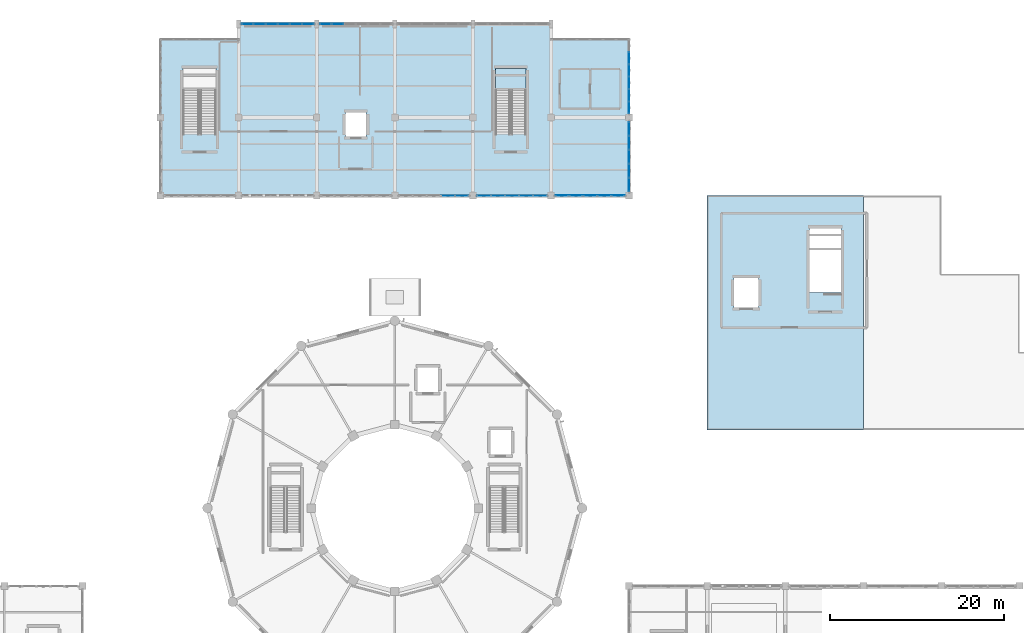
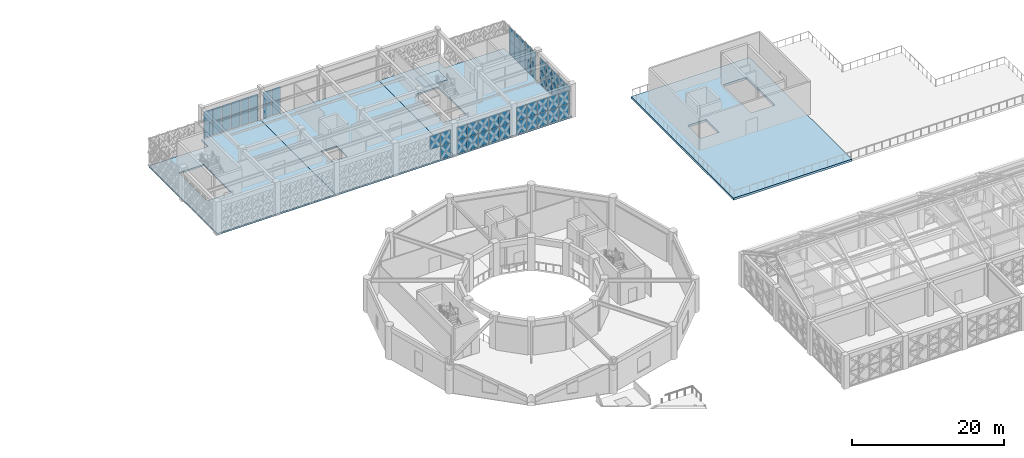
# One storey, part 66 of 86: 59 plates, 5 slabs, 8 elements without a shape of their own.
"""IFC4 building model written with IfcOpenShell, lengths in metres."""

from ifc_helpers import new_model, si_unit, direction, frame, origin, origin_2d, place, context, subcontext, project, spatial, polyline, rectangle, outline, extrude, material, layer, layer_set, type_object, element, aggregate, save


model = new_model("IFC4")

# Units and contexts
model_context = context("Model", 3, precision=1e-05, world=origin(), true_north=direction((0.0, 1.0)))
body_context = subcontext(model_context, "Body", "Model", "MODEL_VIEW")
ifc_project = project(units=[si_unit("LENGTHUNIT", "METRE"), si_unit("AREAUNIT", "SQUARE_METRE"), si_unit("VOLUMEUNIT", "CUBIC_METRE"), si_unit("PLANEANGLEUNIT", "RADIAN"), si_unit("MASSUNIT", "GRAM", prefix="KILO")], contexts=[model_context])

# Site, building, storey
site_placement = place(None, origin())
site = spatial("IfcSite", under=ifc_project, at=site_placement, CompositionType="ELEMENT")
building_placement = place(site_placement, origin())
building = spatial("IfcBuilding", under=site, at=building_placement, Name="Haizhuo Lancet Aquarium", CompositionType="ELEMENT")
storey_placement = place(building_placement, frame((0.0, 0.0, 16.199951171875)))
storey = spatial("IfcBuildingStorey", under=building, at=storey_placement, Name="L03", CompositionType="ELEMENT", Elevation=16.199951171875)

# Curtain wall, plates
ifc_material_1 = material(Name="Aluminium 6063-T6", Category="aluminium")
curtain_wall_type_1 = type_object("IfcCurtainWallType", Name="CWD-8410x4400", PredefinedType="NOTDEFINED", material=ifc_material_1)
curtain_wall_1_placement = place(storey_placement, origin())
curtain_wall_1 = element("IfcCurtainWall", 1, at=curtain_wall_1_placement, inside=storey, type_object=curtain_wall_type_1, Name="L03 curtain wall CW-V5-L03-161", PredefinedType="NOTDEFINED")
ifc_material_2 = material(Name="Laminated Low-E Glass", Category="glass")
ifc_layer_1 = layer(ifc_material_2, 0.028076171875)
ifc_layer_set_1 = layer_set([ifc_layer_1], Name="Laminated Low-E Glass")
plate_type_1 = type_object("IfcPlateType", Name="CW-PNL-1", PredefinedType="CURTAIN_PANEL", material=ifc_layer_set_1)
plate_1_placement = place(storey_placement, frame((-16.985107421875, 55.800048828125, 0.07568359375), z_axis=(0.0, 0.0, 1.0), x_axis=(1.0, 0.0, 0.0)))
plate_1 = element("IfcPlate", 2, at=plate_1_placement, type_object=plate_type_1, Name="CWD-84x44 panel 1.1", PredefinedType="CURTAIN_PANEL", context=body_context, shape_type="SweptSolid", body=[
    extrude(rectangle(XDim=1.2890625, YDim=0.028076171875, at=origin_2d()), origin(), (0.0, 0.0, 1.0), 2.0869140625),
])
plate_2_placement = place(storey_placement, frame((-16.985107421875, 55.800048828125, 2.237548828125), z_axis=(0.0, 0.0, 1.0), x_axis=(1.0, 0.0, 0.0)))
plate_2 = element("IfcPlate", 3, at=plate_2_placement, type_object=plate_type_1, Name="CWD-84x44 panel 1.2", PredefinedType="CURTAIN_PANEL", context=body_context, shape_type="SweptSolid", body=[
    extrude(rectangle(XDim=1.2890625, YDim=0.028076171875, at=origin_2d()), origin(), (0.0, 0.0, 1.0), 2.0869140625),
])
plate_3_placement = place(storey_placement, frame((-15.60205078125, 55.800048828125, 0.07568359375), z_axis=(0.0, 0.0, 1.0), x_axis=(1.0, 0.0, 0.0)))
plate_3 = element("IfcPlate", 4, at=plate_3_placement, type_object=plate_type_1, Name="CWD-84x44 panel 2.1", PredefinedType="CURTAIN_PANEL", context=body_context, shape_type="SweptSolid", body=[
    extrude(rectangle(XDim=1.326904296875, YDim=0.028076171875, at=origin_2d()), origin(), (0.0, 0.0, 1.0), 2.0869140625),
])
plate_4_placement = place(storey_placement, frame((-15.60205078125, 55.800048828125, 2.237548828125), z_axis=(0.0, 0.0, 1.0), x_axis=(1.0, 0.0, 0.0)))
plate_4 = element("IfcPlate", 5, at=plate_4_placement, type_object=plate_type_1, Name="CWD-84x44 panel 2.2", PredefinedType="CURTAIN_PANEL", context=body_context, shape_type="SweptSolid", body=[
    extrude(rectangle(XDim=1.326904296875, YDim=0.028076171875, at=origin_2d()), origin(), (0.0, 0.0, 1.0), 2.0869140625),
])
plate_5_placement = place(storey_placement, frame((-14.200927734375, 55.800048828125, 0.07568359375), z_axis=(0.0, 0.0, 1.0), x_axis=(1.0, 0.0, 0.0)))
plate_5 = element("IfcPlate", 6, at=plate_5_placement, type_object=plate_type_1, Name="CWD-84x44 panel 3.1", PredefinedType="CURTAIN_PANEL", context=body_context, shape_type="SweptSolid", body=[
    extrude(rectangle(XDim=1.326904296875, YDim=0.028076171875, at=origin_2d()), origin(), (0.0, 0.0, 1.0), 2.0869140625),
])
plate_6_placement = place(storey_placement, frame((-14.200927734375, 55.800048828125, 2.237548828125), z_axis=(0.0, 0.0, 1.0), x_axis=(1.0, 0.0, 0.0)))
plate_6 = element("IfcPlate", 7, at=plate_6_placement, type_object=plate_type_1, Name="CWD-84x44 panel 3.2", PredefinedType="CURTAIN_PANEL", context=body_context, shape_type="SweptSolid", body=[
    extrude(rectangle(XDim=1.326904296875, YDim=0.028076171875, at=origin_2d()), origin(), (0.0, 0.0, 1.0), 2.0869140625),
])
plate_7_placement = place(storey_placement, frame((-12.799072265625, 55.800048828125, 0.07568359375), z_axis=(0.0, 0.0, 1.0), x_axis=(1.0, 0.0, 0.0)))
plate_7 = element("IfcPlate", 8, at=plate_7_placement, type_object=plate_type_1, Name="CWD-84x44 panel 4.1", PredefinedType="CURTAIN_PANEL", context=body_context, shape_type="SweptSolid", body=[
    extrude(rectangle(XDim=1.326904296875, YDim=0.028076171875, at=origin_2d()), origin(), (0.0, 0.0, 1.0), 2.0869140625),
])
plate_8_placement = place(storey_placement, frame((-12.799072265625, 55.800048828125, 2.237548828125), z_axis=(0.0, 0.0, 1.0), x_axis=(1.0, 0.0, 0.0)))
plate_8 = element("IfcPlate", 9, at=plate_8_placement, type_object=plate_type_1, Name="CWD-84x44 panel 4.2", PredefinedType="CURTAIN_PANEL", context=body_context, shape_type="SweptSolid", body=[
    extrude(rectangle(XDim=1.326904296875, YDim=0.028076171875, at=origin_2d()), origin(), (0.0, 0.0, 1.0), 2.0869140625),
])
plate_9_placement = place(storey_placement, frame((-11.39697265625, 55.800048828125, 0.07568359375), z_axis=(0.0, 0.0, 1.0), x_axis=(1.0, 0.0, 0.0)))
plate_9 = element("IfcPlate", 10, at=plate_9_placement, type_object=plate_type_1, Name="CWD-84x44 panel 5.1", PredefinedType="CURTAIN_PANEL", context=body_context, shape_type="SweptSolid", body=[
    extrude(rectangle(XDim=1.326904296875, YDim=0.028076171875, at=origin_2d()), origin(), (0.0, 0.0, 1.0), 2.0869140625),
])
plate_10_placement = place(storey_placement, frame((-11.39697265625, 55.800048828125, 2.237548828125), z_axis=(0.0, 0.0, 1.0), x_axis=(1.0, 0.0, 0.0)))
plate_10 = element("IfcPlate", 11, at=plate_10_placement, type_object=plate_type_1, Name="CWD-84x44 panel 5.2", PredefinedType="CURTAIN_PANEL", context=body_context, shape_type="SweptSolid", body=[
    extrude(rectangle(XDim=1.326904296875, YDim=0.028076171875, at=origin_2d()), origin(), (0.0, 0.0, 1.0), 2.0869140625),
])
plate_11_placement = place(storey_placement, frame((-10.014892578125, 55.800048828125, 0.07568359375), z_axis=(0.0, 0.0, 1.0), x_axis=(1.0, 0.0, 0.0)))
plate_11 = element("IfcPlate", 12, at=plate_11_placement, type_object=plate_type_1, Name="CWD-84x44 panel 6.1", PredefinedType="CURTAIN_PANEL", context=body_context, shape_type="SweptSolid", body=[
    extrude(rectangle(XDim=1.2890625, YDim=0.028076171875, at=origin_2d()), origin(), (0.0, 0.0, 1.0), 2.0869140625),
])
plate_12_placement = place(storey_placement, frame((-10.014892578125, 55.800048828125, 2.237548828125), z_axis=(0.0, 0.0, 1.0), x_axis=(1.0, 0.0, 0.0)))
plate_12 = element("IfcPlate", 13, at=plate_12_placement, type_object=plate_type_1, Name="CWD-84x44 panel 6.2", PredefinedType="CURTAIN_PANEL", context=body_context, shape_type="SweptSolid", body=[
    extrude(rectangle(XDim=1.2890625, YDim=0.028076171875, at=origin_2d()), origin(), (0.0, 0.0, 1.0), 2.0869140625),
])
aggregate(curtain_wall_1, [plate_1, plate_2, plate_3, plate_4, plate_5, plate_6, plate_7, plate_8, plate_9, plate_10, plate_11, plate_12])

curtain_wall_type_2 = type_object("IfcCurtainWallType", Name="CWD-8110x4400", PredefinedType="NOTDEFINED", material=ifc_material_1)
curtain_wall_2_placement = place(storey_placement, origin())
curtain_wall_2 = element("IfcCurtainWall", 14, at=curtain_wall_2_placement, inside=storey, type_object=curtain_wall_type_2, Name="L03 curtain wall CW-V5-L03-169", PredefinedType="NOTDEFINED")
plate_13_placement = place(storey_placement, frame((16.72802734375, 36.0, 0.064453125), z_axis=(0.0, 0.0, 1.0), x_axis=(-1.0, 0.0, 0.0)))
plate_13 = element("IfcPlate", 15, at=plate_13_placement, type_object=plate_type_1, Name="CWD-81x44 panel 1.1", PredefinedType="CURTAIN_PANEL", context=body_context, shape_type="SweptSolid", body=[
    extrude(rectangle(XDim=1.52392578125, YDim=0.028076171875, at=origin_2d()), origin(), (0.0, 0.0, 1.0), 2.10302734375),
])
plate_14_placement = place(storey_placement, frame((16.72802734375, 36.0, 2.232421875), z_axis=(0.0, 0.0, 1.0), x_axis=(-1.0, 0.0, 0.0)))
plate_14 = element("IfcPlate", 16, at=plate_14_placement, type_object=plate_type_1, Name="CWD-81x44 panel 1.2", PredefinedType="CURTAIN_PANEL", context=body_context, shape_type="SweptSolid", body=[
    extrude(rectangle(XDim=1.52392578125, YDim=0.028076171875, at=origin_2d()), origin(), (0.0, 0.0, 1.0), 2.10302734375),
])
plate_15_placement = place(storey_placement, frame((15.1220703125, 36.0, 0.064453125), z_axis=(0.0, 0.0, 1.0), x_axis=(-1.0, 0.0, 0.0)))
plate_15 = element("IfcPlate", 17, at=plate_15_placement, type_object=plate_type_1, Name="CWD-81x44 panel 2.1", PredefinedType="CURTAIN_PANEL", context=body_context, shape_type="SweptSolid", body=[
    extrude(rectangle(XDim=1.556884765625, YDim=0.028076171875, at=origin_2d()), origin(), (0.0, 0.0, 1.0), 2.10302734375),
])
plate_16_placement = place(storey_placement, frame((15.1220703125, 36.0, 2.232421875), z_axis=(0.0, 0.0, 1.0), x_axis=(-1.0, 0.0, 0.0)))
plate_16 = element("IfcPlate", 18, at=plate_16_placement, type_object=plate_type_1, Name="CWD-81x44 panel 2.2", PredefinedType="CURTAIN_PANEL", context=body_context, shape_type="SweptSolid", body=[
    extrude(rectangle(XDim=1.556884765625, YDim=0.028076171875, at=origin_2d()), origin(), (0.0, 0.0, 1.0), 2.10302734375),
])
plate_17_placement = place(storey_placement, frame((13.5, 36.0, 0.064453125), z_axis=(0.0, 0.0, 1.0), x_axis=(-1.0, 0.0, 0.0)))
plate_17 = element("IfcPlate", 19, at=plate_17_placement, type_object=plate_type_1, Name="CWD-81x44 panel 3.1", PredefinedType="CURTAIN_PANEL", context=body_context, shape_type="SweptSolid", body=[
    extrude(rectangle(XDim=1.556884765625, YDim=0.028076171875, at=origin_2d()), origin(), (0.0, 0.0, 1.0), 2.10302734375),
])
plate_18_placement = place(storey_placement, frame((13.5, 36.0, 2.232421875), z_axis=(0.0, 0.0, 1.0), x_axis=(-1.0, 0.0, 0.0)))
plate_18 = element("IfcPlate", 20, at=plate_18_placement, type_object=plate_type_1, Name="CWD-81x44 panel 3.2", PredefinedType="CURTAIN_PANEL", context=body_context, shape_type="SweptSolid", body=[
    extrude(rectangle(XDim=1.556884765625, YDim=0.028076171875, at=origin_2d()), origin(), (0.0, 0.0, 1.0), 2.10302734375),
])
plate_19_placement = place(storey_placement, frame((11.8779296875, 36.0, 0.064453125), z_axis=(0.0, 0.0, 1.0), x_axis=(-1.0, 0.0, 0.0)))
plate_19 = element("IfcPlate", 21, at=plate_19_placement, type_object=plate_type_1, Name="CWD-81x44 panel 4.1", PredefinedType="CURTAIN_PANEL", context=body_context, shape_type="SweptSolid", body=[
    extrude(rectangle(XDim=1.556884765625, YDim=0.028076171875, at=origin_2d()), origin(), (0.0, 0.0, 1.0), 2.10302734375),
])
plate_20_placement = place(storey_placement, frame((11.8779296875, 36.0, 2.232421875), z_axis=(0.0, 0.0, 1.0), x_axis=(-1.0, 0.0, 0.0)))
plate_20 = element("IfcPlate", 22, at=plate_20_placement, type_object=plate_type_1, Name="CWD-81x44 panel 4.2", PredefinedType="CURTAIN_PANEL", context=body_context, shape_type="SweptSolid", body=[
    extrude(rectangle(XDim=1.556884765625, YDim=0.028076171875, at=origin_2d()), origin(), (0.0, 0.0, 1.0), 2.10302734375),
])
plate_21_placement = place(storey_placement, frame((10.27197265625, 36.0, 0.064453125), z_axis=(0.0, 0.0, 1.0), x_axis=(-1.0, 0.0, 0.0)))
plate_21 = element("IfcPlate", 23, at=plate_21_placement, type_object=plate_type_1, Name="CWD-81x44 panel 5.1", PredefinedType="CURTAIN_PANEL", context=body_context, shape_type="SweptSolid", body=[
    extrude(rectangle(XDim=1.52392578125, YDim=0.028076171875, at=origin_2d()), origin(), (0.0, 0.0, 1.0), 2.10302734375),
])
plate_22_placement = place(storey_placement, frame((10.27197265625, 36.0, 2.232421875), z_axis=(0.0, 0.0, 1.0), x_axis=(-1.0, 0.0, 0.0)))
plate_22 = element("IfcPlate", 24, at=plate_22_placement, type_object=plate_type_1, Name="CWD-81x44 panel 5.2", PredefinedType="CURTAIN_PANEL", context=body_context, shape_type="SweptSolid", body=[
    extrude(rectangle(XDim=1.52392578125, YDim=0.028076171875, at=origin_2d()), origin(), (0.0, 0.0, 1.0), 2.10302734375),
])
aggregate(curtain_wall_2, [plate_13, plate_14, plate_15, plate_16, plate_17, plate_18, plate_19, plate_20, plate_21, plate_22])

curtain_wall_3_placement = place(storey_placement, origin())
curtain_wall_3 = element("IfcCurtainWall", 25, at=curtain_wall_3_placement, inside=storey, type_object=curtain_wall_type_1, Name="L03 curtain wall CW-V5-L03-162", PredefinedType="NOTDEFINED")
ifc_layer_2 = layer(ifc_material_2, 0.033935546875)
ifc_layer_set_2 = layer_set([ifc_layer_2], Name="Laminated Low-E Glass")
plate_type_2 = type_object("IfcPlateType", Name="CW-PNL-2", PredefinedType="CURTAIN_PANEL", material=ifc_layer_set_2)
plate_23_placement = place(storey_placement, frame((-7.98388671875, 55.800048828125, 0.080078125), z_axis=(0.0, 0.0, 1.0), x_axis=(1.0, 0.0, 0.0)))
plate_23 = element("IfcPlate", 26, at=plate_23_placement, type_object=plate_type_2, Name="CWD-84x44 panel 1.1", PredefinedType="CURTAIN_PANEL", context=body_context, shape_type="SweptSolid", body=[
    extrude(rectangle(XDim=1.281982421875, YDim=0.033935546875, at=origin_2d()), origin(), (0.0, 0.0, 1.0), 2.080078125),
])
plate_24_placement = place(storey_placement, frame((-7.98388671875, 55.800048828125, 2.239990234375), z_axis=(0.0, 0.0, 1.0), x_axis=(1.0, 0.0, 0.0)))
plate_24 = element("IfcPlate", 27, at=plate_24_placement, type_object=plate_type_2, Name="CWD-84x44 panel 1.2", PredefinedType="CURTAIN_PANEL", context=body_context, shape_type="SweptSolid", body=[
    extrude(rectangle(XDim=1.281982421875, YDim=0.033935546875, at=origin_2d()), origin(), (0.0, 0.0, 1.0), 2.080078125),
])
plate_25_placement = place(storey_placement, frame((-6.60302734375, 55.800048828125, 0.080078125), z_axis=(0.0, 0.0, 1.0), x_axis=(1.0, 0.0, 0.0)))
plate_25 = element("IfcPlate", 28, at=plate_25_placement, type_object=plate_type_2, Name="CWD-84x44 panel 2.1", PredefinedType="CURTAIN_PANEL", context=body_context, shape_type="SweptSolid", body=[
    extrude(rectangle(XDim=1.322021484375, YDim=0.033935546875, at=origin_2d()), origin(), (0.0, 0.0, 1.0), 2.080078125),
])
plate_26_placement = place(storey_placement, frame((-6.60302734375, 55.800048828125, 2.239990234375), z_axis=(0.0, 0.0, 1.0), x_axis=(1.0, 0.0, 0.0)))
plate_26 = element("IfcPlate", 29, at=plate_26_placement, type_object=plate_type_2, Name="CWD-84x44 panel 2.2", PredefinedType="CURTAIN_PANEL", context=body_context, shape_type="SweptSolid", body=[
    extrude(rectangle(XDim=1.322021484375, YDim=0.033935546875, at=origin_2d()), origin(), (0.0, 0.0, 1.0), 2.080078125),
])
aggregate(curtain_wall_3, [plate_23, plate_24, plate_25, plate_26])

curtain_wall_type_3 = type_object("IfcCurtainWallType", Name="CWD-8560x4450", PredefinedType="NOTDEFINED", material=ifc_material_1)
curtain_wall_4_placement = place(storey_placement, origin())
curtain_wall_4 = element("IfcCurtainWall", 30, at=curtain_wall_4_placement, inside=storey, type_object=curtain_wall_type_3, Name="L03 curtain wall CW-V5-L03-166", PredefinedType="NOTDEFINED")
plate_27_placement = place(storey_placement, frame((27.0, 51.861083984375, 0.065185546875), z_axis=(0.0, 0.0, 1.0), x_axis=(0.0, -1.0, 0.0)))
plate_27 = element("IfcPlate", 31, at=plate_27_placement, type_object=plate_type_2, Name="CWD-85x44 panel 2.1", PredefinedType="CURTAIN_PANEL", context=body_context, shape_type="SweptSolid", body=[
    extrude(rectangle(XDim=1.361083984375, YDim=0.033935546875, at=origin_2d()), origin(), (0.0, 0.0, 1.0), 2.1279296875),
])
plate_28_placement = place(storey_placement, frame((27.0, 51.861083984375, 2.257080078125), z_axis=(0.0, 0.0, 1.0), x_axis=(0.0, -1.0, 0.0)))
plate_28 = element("IfcPlate", 32, at=plate_28_placement, type_object=plate_type_2, Name="CWD-85x44 panel 2.2", PredefinedType="CURTAIN_PANEL", context=body_context, shape_type="SweptSolid", body=[
    extrude(rectangle(XDim=1.361083984375, YDim=0.033935546875, at=origin_2d()), origin(), (0.0, 0.0, 1.0), 2.1279296875),
])
plate_29_placement = place(storey_placement, frame((27.0, 50.43505859375, 0.065185546875), z_axis=(0.0, 0.0, 1.0), x_axis=(0.0, -1.0, 0.0)))
plate_29 = element("IfcPlate", 33, at=plate_29_placement, type_object=plate_type_2, Name="CWD-85x44 panel 3.1", PredefinedType="CURTAIN_PANEL", context=body_context, shape_type="SweptSolid", body=[
    extrude(rectangle(XDim=1.361083984375, YDim=0.033935546875, at=origin_2d()), origin(), (0.0, 0.0, 1.0), 2.1279296875),
])
plate_30_placement = place(storey_placement, frame((27.0, 50.43505859375, 2.257080078125), z_axis=(0.0, 0.0, 1.0), x_axis=(0.0, -1.0, 0.0)))
plate_30 = element("IfcPlate", 34, at=plate_30_placement, type_object=plate_type_2, Name="CWD-85x44 panel 3.2", PredefinedType="CURTAIN_PANEL", context=body_context, shape_type="SweptSolid", body=[
    extrude(rectangle(XDim=1.361083984375, YDim=0.033935546875, at=origin_2d()), origin(), (0.0, 0.0, 1.0), 2.1279296875),
])
plate_31_placement = place(storey_placement, frame((27.0, 49.010009765625, 0.065185546875), z_axis=(0.0, 0.0, 1.0), x_axis=(0.0, -1.0, 0.0)))
plate_31 = element("IfcPlate", 35, at=plate_31_placement, type_object=plate_type_2, Name="CWD-85x44 panel 4.1", PredefinedType="CURTAIN_PANEL", context=body_context, shape_type="SweptSolid", body=[
    extrude(rectangle(XDim=1.361083984375, YDim=0.033935546875, at=origin_2d()), origin(), (0.0, 0.0, 1.0), 2.1279296875),
])
plate_32_placement = place(storey_placement, frame((27.0, 49.010009765625, 2.257080078125), z_axis=(0.0, 0.0, 1.0), x_axis=(0.0, -1.0, 0.0)))
plate_32 = element("IfcPlate", 36, at=plate_32_placement, type_object=plate_type_2, Name="CWD-85x44 panel 4.2", PredefinedType="CURTAIN_PANEL", context=body_context, shape_type="SweptSolid", body=[
    extrude(rectangle(XDim=1.361083984375, YDim=0.033935546875, at=origin_2d()), origin(), (0.0, 0.0, 1.0), 2.1279296875),
])
plate_33_placement = place(storey_placement, frame((27.0, 47.583984375, 0.065185546875), z_axis=(0.0, 0.0, 1.0), x_axis=(0.0, -1.0, 0.0)))
plate_33 = element("IfcPlate", 37, at=plate_33_placement, type_object=plate_type_2, Name="CWD-85x44 panel 5.1", PredefinedType="CURTAIN_PANEL", context=body_context, shape_type="SweptSolid", body=[
    extrude(rectangle(XDim=1.361083984375, YDim=0.033935546875, at=origin_2d()), origin(), (0.0, 0.0, 1.0), 2.1279296875),
])
plate_34_placement = place(storey_placement, frame((27.0, 47.583984375, 2.257080078125), z_axis=(0.0, 0.0, 1.0), x_axis=(0.0, -1.0, 0.0)))
plate_34 = element("IfcPlate", 38, at=plate_34_placement, type_object=plate_type_2, Name="CWD-85x44 panel 5.2", PredefinedType="CURTAIN_PANEL", context=body_context, shape_type="SweptSolid", body=[
    extrude(rectangle(XDim=1.361083984375, YDim=0.033935546875, at=origin_2d()), origin(), (0.0, 0.0, 1.0), 2.1279296875),
])
plate_35_placement = place(storey_placement, frame((27.0, 46.174072265625, 0.065185546875), z_axis=(0.0, 0.0, 1.0), x_axis=(0.0, -1.0, 0.0)))
plate_35 = element("IfcPlate", 39, at=plate_35_placement, type_object=plate_type_2, Name="CWD-85x44 panel 6.1", PredefinedType="CURTAIN_PANEL", context=body_context, shape_type="SweptSolid", body=[
    extrude(rectangle(XDim=1.327880859375, YDim=0.033935546875, at=origin_2d()), origin(), (0.0, 0.0, 1.0), 2.1279296875),
])
plate_36_placement = place(storey_placement, frame((27.0, 46.174072265625, 2.257080078125), z_axis=(0.0, 0.0, 1.0), x_axis=(0.0, -1.0, 0.0)))
plate_36 = element("IfcPlate", 40, at=plate_36_placement, type_object=plate_type_2, Name="CWD-85x44 panel 6.2", PredefinedType="CURTAIN_PANEL", context=body_context, shape_type="SweptSolid", body=[
    extrude(rectangle(XDim=1.327880859375, YDim=0.033935546875, at=origin_2d()), origin(), (0.0, 0.0, 1.0), 2.1279296875),
])
aggregate(curtain_wall_4, [plate_27, plate_28, plate_29, plate_30, plate_31, plate_32, plate_33, plate_34, plate_35, plate_36])

curtain_wall_5_placement = place(storey_placement, origin())
curtain_wall_5 = element("IfcCurtainWall", 41, at=curtain_wall_5_placement, inside=storey, type_object=curtain_wall_type_2, Name="L03 curtain wall CW-V5-L03-170", PredefinedType="NOTDEFINED")
plate_37_placement = place(storey_placement, frame((7.72509765625, 36.0, 0.07568359375), z_axis=(0.0, 0.0, 1.0), x_axis=(-1.0, 0.0, 0.0)))
plate_37 = element("IfcPlate", 42, at=plate_37_placement, type_object=plate_type_2, Name="CWD-81x44 panel 1.1", PredefinedType="CURTAIN_PANEL", context=body_context, shape_type="SweptSolid", body=[
    extrude(rectangle(XDim=1.509033203125, YDim=0.033935546875, at=origin_2d()), origin(), (0.0, 0.0, 1.0), 2.0869140625),
])
plate_38_placement = place(storey_placement, frame((7.72509765625, 36.0, 2.237548828125), z_axis=(0.0, 0.0, 1.0), x_axis=(-1.0, 0.0, 0.0)))
plate_38 = element("IfcPlate", 43, at=plate_38_placement, type_object=plate_type_2, Name="CWD-81x44 panel 1.2", PredefinedType="CURTAIN_PANEL", context=body_context, shape_type="SweptSolid", body=[
    extrude(rectangle(XDim=1.509033203125, YDim=0.033935546875, at=origin_2d()), origin(), (0.0, 0.0, 1.0), 2.0869140625),
])
plate_39_placement = place(storey_placement, frame((6.1220703125, 36.0, 2.237548828125), z_axis=(0.0, 0.0, 1.0), x_axis=(-1.0, 0.0, 0.0)))
plate_39 = element("IfcPlate", 44, at=plate_39_placement, type_object=plate_type_2, Name="CWD-81x44 panel 2.2", PredefinedType="CURTAIN_PANEL", context=body_context, shape_type="SweptSolid", body=[
    extrude(rectangle(XDim=1.547119140625, YDim=0.033935546875, at=origin_2d()), origin(), (0.0, 0.0, 1.0), 2.0869140625),
])
aggregate(curtain_wall_5, [plate_37, plate_38, plate_39])

curtain_wall_type_4 = type_object("IfcCurtainWallType", Name="CWD-8110x4450", PredefinedType="NOTDEFINED", material=ifc_material_1)
curtain_wall_6_placement = place(storey_placement, origin())
curtain_wall_6 = element("IfcCurtainWall", 45, at=curtain_wall_6_placement, inside=storey, type_object=curtain_wall_type_4, Name="L03 curtain wall CW-V5-L03-167", PredefinedType="NOTDEFINED")
ifc_layer_3 = layer(ifc_material_2, 0.0419921875)
ifc_layer_set_3 = layer_set([ifc_layer_3], Name="Laminated Low-E Glass")
plate_type_3 = type_object("IfcPlateType", Name="CW-PNL-3", PredefinedType="CURTAIN_PANEL", material=ifc_layer_set_3)
plate_40_placement = place(storey_placement, frame((27.0, 43.72509765625, 0.0751953125), z_axis=(0.0, 0.0, 1.0), x_axis=(0.0, -1.0, 0.0)))
plate_40 = element("IfcPlate", 46, at=plate_40_placement, type_object=plate_type_3, Name="CWD-81x44 panel 1.1", PredefinedType="CURTAIN_PANEL", context=body_context, shape_type="SweptSolid", body=[
    extrude(rectangle(XDim=1.509033203125, YDim=0.0419921875, at=origin_2d()), origin(), (0.0, 0.0, 1.0), 2.112060546875),
])
plate_41_placement = place(storey_placement, frame((27.0, 43.72509765625, 2.26318359375), z_axis=(0.0, 0.0, 1.0), x_axis=(0.0, -1.0, 0.0)))
plate_41 = element("IfcPlate", 47, at=plate_41_placement, type_object=plate_type_3, Name="CWD-81x44 panel 1.2", PredefinedType="CURTAIN_PANEL", context=body_context, shape_type="SweptSolid", body=[
    extrude(rectangle(XDim=1.509033203125, YDim=0.0419921875, at=origin_2d()), origin(), (0.0, 0.0, 1.0), 2.112060546875),
])
plate_42_placement = place(storey_placement, frame((27.0, 42.1220703125, 0.0751953125), z_axis=(0.0, 0.0, 1.0), x_axis=(0.0, -1.0, 0.0)))
plate_42 = element("IfcPlate", 48, at=plate_42_placement, type_object=plate_type_3, Name="CWD-81x44 panel 2.1", PredefinedType="CURTAIN_PANEL", context=body_context, shape_type="SweptSolid", body=[
    extrude(rectangle(XDim=1.547119140625, YDim=0.0419921875, at=origin_2d()), origin(), (0.0, 0.0, 1.0), 2.112060546875),
])
plate_43_placement = place(storey_placement, frame((27.0, 42.1220703125, 2.26318359375), z_axis=(0.0, 0.0, 1.0), x_axis=(0.0, -1.0, 0.0)))
plate_43 = element("IfcPlate", 49, at=plate_43_placement, type_object=plate_type_3, Name="CWD-81x44 panel 2.2", PredefinedType="CURTAIN_PANEL", context=body_context, shape_type="SweptSolid", body=[
    extrude(rectangle(XDim=1.547119140625, YDim=0.0419921875, at=origin_2d()), origin(), (0.0, 0.0, 1.0), 2.112060546875),
])
plate_44_placement = place(storey_placement, frame((27.0, 40.5, 0.0751953125), z_axis=(0.0, 0.0, 1.0), x_axis=(0.0, -1.0, 0.0)))
plate_44 = element("IfcPlate", 50, at=plate_44_placement, type_object=plate_type_3, Name="CWD-81x44 panel 3.1", PredefinedType="CURTAIN_PANEL", context=body_context, shape_type="SweptSolid", body=[
    extrude(rectangle(XDim=1.547119140625, YDim=0.0419921875, at=origin_2d()), origin(), (0.0, 0.0, 1.0), 2.112060546875),
])
plate_45_placement = place(storey_placement, frame((27.0, 40.5, 2.26318359375), z_axis=(0.0, 0.0, 1.0), x_axis=(0.0, -1.0, 0.0)))
plate_45 = element("IfcPlate", 51, at=plate_45_placement, type_object=plate_type_3, Name="CWD-81x44 panel 3.2", PredefinedType="CURTAIN_PANEL", context=body_context, shape_type="SweptSolid", body=[
    extrude(rectangle(XDim=1.547119140625, YDim=0.0419921875, at=origin_2d()), origin(), (0.0, 0.0, 1.0), 2.112060546875),
])
plate_46_placement = place(storey_placement, frame((27.0, 38.8779296875, 0.0751953125), z_axis=(0.0, 0.0, 1.0), x_axis=(0.0, -1.0, 0.0)))
plate_46 = element("IfcPlate", 52, at=plate_46_placement, type_object=plate_type_3, Name="CWD-81x44 panel 4.1", PredefinedType="CURTAIN_PANEL", context=body_context, shape_type="SweptSolid", body=[
    extrude(rectangle(XDim=1.547119140625, YDim=0.0419921875, at=origin_2d()), origin(), (0.0, 0.0, 1.0), 2.112060546875),
])
plate_47_placement = place(storey_placement, frame((27.0, 38.8779296875, 2.26318359375), z_axis=(0.0, 0.0, 1.0), x_axis=(0.0, -1.0, 0.0)))
plate_47 = element("IfcPlate", 53, at=plate_47_placement, type_object=plate_type_3, Name="CWD-81x44 panel 4.2", PredefinedType="CURTAIN_PANEL", context=body_context, shape_type="SweptSolid", body=[
    extrude(rectangle(XDim=1.547119140625, YDim=0.0419921875, at=origin_2d()), origin(), (0.0, 0.0, 1.0), 2.112060546875),
])
plate_48_placement = place(storey_placement, frame((27.0, 37.27490234375, 0.0751953125), z_axis=(0.0, 0.0, 1.0), x_axis=(0.0, -1.0, 0.0)))
plate_48 = element("IfcPlate", 54, at=plate_48_placement, type_object=plate_type_3, Name="CWD-81x44 panel 5.1", PredefinedType="CURTAIN_PANEL", context=body_context, shape_type="SweptSolid", body=[
    extrude(rectangle(XDim=1.510009765625, YDim=0.0419921875, at=origin_2d()), origin(), (0.0, 0.0, 1.0), 2.112060546875),
])
plate_49_placement = place(storey_placement, frame((27.0, 37.27490234375, 2.26318359375), z_axis=(0.0, 0.0, 1.0), x_axis=(0.0, -1.0, 0.0)))
plate_49 = element("IfcPlate", 55, at=plate_49_placement, type_object=plate_type_3, Name="CWD-81x44 panel 5.2", PredefinedType="CURTAIN_PANEL", context=body_context, shape_type="SweptSolid", body=[
    extrude(rectangle(XDim=1.510009765625, YDim=0.0419921875, at=origin_2d()), origin(), (0.0, 0.0, 1.0), 2.112060546875),
])
aggregate(curtain_wall_6, [plate_40, plate_41, plate_42, plate_43, plate_44, plate_45, plate_46, plate_47, plate_48, plate_49])

curtain_wall_7_placement = place(storey_placement, origin())
curtain_wall_7 = element("IfcCurtainWall", 56, at=curtain_wall_7_placement, inside=storey, type_object=curtain_wall_type_2, Name="L03 curtain wall CW-V5-L03-168", PredefinedType="NOTDEFINED")
ifc_layer_4 = layer(ifc_material_2, 0.052001953125)
ifc_layer_set_4 = layer_set([ifc_layer_4], Name="Laminated Low-E Glass")
plate_type_4 = type_object("IfcPlateType", Name="CW-PNL-4", PredefinedType="CURTAIN_PANEL", material=ifc_layer_set_4)
plate_50_placement = place(storey_placement, frame((25.72412109375, 36.0, 0.080078125), z_axis=(0.0, 0.0, 1.0), x_axis=(-1.0, 0.0, 0.0)))
plate_50 = element("IfcPlate", 57, at=plate_50_placement, type_object=plate_type_4, Name="CWD-81x44 panel 1.1", PredefinedType="CURTAIN_PANEL", context=body_context, shape_type="SweptSolid", body=[
    extrude(rectangle(XDim=1.501953125, YDim=0.052001953125, at=origin_2d()), origin(), (0.0, 0.0, 1.0), 2.080078125),
])
plate_51_placement = place(storey_placement, frame((25.72412109375, 36.0, 2.239990234375), z_axis=(0.0, 0.0, 1.0), x_axis=(-1.0, 0.0, 0.0)))
plate_51 = element("IfcPlate", 58, at=plate_51_placement, type_object=plate_type_4, Name="CWD-81x44 panel 1.2", PredefinedType="CURTAIN_PANEL", context=body_context, shape_type="SweptSolid", body=[
    extrude(rectangle(XDim=1.501953125, YDim=0.052001953125, at=origin_2d()), origin(), (0.0, 0.0, 1.0), 2.080078125),
])
plate_52_placement = place(storey_placement, frame((24.1220703125, 36.0, 0.080078125), z_axis=(0.0, 0.0, 1.0), x_axis=(-1.0, 0.0, 0.0)))
plate_52 = element("IfcPlate", 59, at=plate_52_placement, type_object=plate_type_4, Name="CWD-81x44 panel 2.1", PredefinedType="CURTAIN_PANEL", context=body_context, shape_type="SweptSolid", body=[
    extrude(rectangle(XDim=1.5419921875, YDim=0.052001953125, at=origin_2d()), origin(), (0.0, 0.0, 1.0), 2.080078125),
])
plate_53_placement = place(storey_placement, frame((24.1220703125, 36.0, 2.239990234375), z_axis=(0.0, 0.0, 1.0), x_axis=(-1.0, 0.0, 0.0)))
plate_53 = element("IfcPlate", 60, at=plate_53_placement, type_object=plate_type_4, Name="CWD-81x44 panel 2.2", PredefinedType="CURTAIN_PANEL", context=body_context, shape_type="SweptSolid", body=[
    extrude(rectangle(XDim=1.5419921875, YDim=0.052001953125, at=origin_2d()), origin(), (0.0, 0.0, 1.0), 2.080078125),
])
plate_54_placement = place(storey_placement, frame((22.5, 36.0, 0.080078125), z_axis=(0.0, 0.0, 1.0), x_axis=(-1.0, 0.0, 0.0)))
plate_54 = element("IfcPlate", 61, at=plate_54_placement, type_object=plate_type_4, Name="CWD-81x44 panel 3.1", PredefinedType="CURTAIN_PANEL", context=body_context, shape_type="SweptSolid", body=[
    extrude(rectangle(XDim=1.5419921875, YDim=0.052001953125, at=origin_2d()), origin(), (0.0, 0.0, 1.0), 2.080078125),
])
plate_55_placement = place(storey_placement, frame((22.5, 36.0, 2.239990234375), z_axis=(0.0, 0.0, 1.0), x_axis=(-1.0, 0.0, 0.0)))
plate_55 = element("IfcPlate", 62, at=plate_55_placement, type_object=plate_type_4, Name="CWD-81x44 panel 3.2", PredefinedType="CURTAIN_PANEL", context=body_context, shape_type="SweptSolid", body=[
    extrude(rectangle(XDim=1.5419921875, YDim=0.052001953125, at=origin_2d()), origin(), (0.0, 0.0, 1.0), 2.080078125),
])
plate_56_placement = place(storey_placement, frame((20.8779296875, 36.0, 0.080078125), z_axis=(0.0, 0.0, 1.0), x_axis=(-1.0, 0.0, 0.0)))
plate_56 = element("IfcPlate", 63, at=plate_56_placement, type_object=plate_type_4, Name="CWD-81x44 panel 4.1", PredefinedType="CURTAIN_PANEL", context=body_context, shape_type="SweptSolid", body=[
    extrude(rectangle(XDim=1.5419921875, YDim=0.052001953125, at=origin_2d()), origin(), (0.0, 0.0, 1.0), 2.080078125),
])
plate_57_placement = place(storey_placement, frame((20.8779296875, 36.0, 2.239990234375), z_axis=(0.0, 0.0, 1.0), x_axis=(-1.0, 0.0, 0.0)))
plate_57 = element("IfcPlate", 64, at=plate_57_placement, type_object=plate_type_4, Name="CWD-81x44 panel 4.2", PredefinedType="CURTAIN_PANEL", context=body_context, shape_type="SweptSolid", body=[
    extrude(rectangle(XDim=1.5419921875, YDim=0.052001953125, at=origin_2d()), origin(), (0.0, 0.0, 1.0), 2.080078125),
])
plate_58_placement = place(storey_placement, frame((19.27587890625, 36.0, 0.080078125), z_axis=(0.0, 0.0, 1.0), x_axis=(-1.0, 0.0, 0.0)))
plate_58 = element("IfcPlate", 65, at=plate_58_placement, type_object=plate_type_4, Name="CWD-81x44 panel 5.1", PredefinedType="CURTAIN_PANEL", context=body_context, shape_type="SweptSolid", body=[
    extrude(rectangle(XDim=1.501953125, YDim=0.052001953125, at=origin_2d()), origin(), (0.0, 0.0, 1.0), 2.080078125),
])
plate_59_placement = place(storey_placement, frame((19.27587890625, 36.0, 2.239990234375), z_axis=(0.0, 0.0, 1.0), x_axis=(-1.0, 0.0, 0.0)))
plate_59 = element("IfcPlate", 66, at=plate_59_placement, type_object=plate_type_4, Name="CWD-81x44 panel 5.2", PredefinedType="CURTAIN_PANEL", context=body_context, shape_type="SweptSolid", body=[
    extrude(rectangle(XDim=1.501953125, YDim=0.052001953125, at=origin_2d()), origin(), (0.0, 0.0, 1.0), 2.080078125),
])
aggregate(curtain_wall_7, [plate_50, plate_51, plate_52, plate_53, plate_54, plate_55, plate_56, plate_57, plate_58, plate_59])

# Slabs
ifc_material_3 = material(Name="Concrete C40/50", Category="concrete")
ifc_layer_5 = layer(ifc_material_3, 0.239990234375)
ifc_layer_set_5 = layer_set([ifc_layer_5], Name="Concrete C40/50")
slab_type_1 = type_object("IfcSlabType", Name="SLB-L03-240", PredefinedType="FLOOR", material=ifc_layer_set_5)
slab_1_placement = place(storey_placement, frame((0.0, 0.0, -0.239990234375)))
element("IfcSlab", 67, at=slab_1_placement, inside=storey, type_object=slab_type_1, Name="L03 structural slab SL-L03-V5-01", PredefinedType="FLOOR", context=body_context, shape_type="SweptSolid", body=[
    extrude(outline(polyline([(-27.0, 36.0), (-9.0, 36.0), (-9.0, 55.800048828125), (-18.0, 55.800048828125), (-18.0, 54.0), (-27.0, 54.0), (-27.0, 36.0)]), holes=[polyline([(-24.39990234375, 43.22998046875), (-20.60009765625, 43.22998046875), (-20.60009765625, 50.64990234375), (-24.39990234375, 50.64990234375), (-24.39990234375, 43.22998046875)])]), origin(), (0.0, 0.0, 1.0), 0.239990234375),
])
slab_2_placement = place(storey_placement, frame((0.0, 0.0, -0.239990234375)))
element("IfcSlab", 68, at=slab_2_placement, inside=storey, type_object=slab_type_1, Name="L03 structural slab SL-L03-V5-02", PredefinedType="FLOOR", context=body_context, shape_type="SweptSolid", body=[
    extrude(outline(polyline([(-9.0, 55.800048828125), (-9.0, 36.0), (9.0, 36.0), (9.0, 55.800048828125), (-9.0, 55.800048828125)]), holes=[polyline([(-5.699951171875, 45.60009765625), (-5.699951171875, 42.800048828125), (-3.300048828125, 42.800048828125), (-3.300048828125, 45.60009765625), (-5.699951171875, 45.60009765625)])]), origin(), (0.0, 0.0, 1.0), 0.239990234375),
])
slab_3_placement = place(storey_placement, frame((0.0, 0.0, -0.239990234375)))
element("IfcSlab", 69, at=slab_3_placement, inside=storey, type_object=slab_type_1, Name="L03 structural slab SL-L03-V5-03", PredefinedType="FLOOR", context=body_context, shape_type="SweptSolid", body=[
    extrude(outline(polyline([(9.0, 55.800048828125), (9.0, 36.0), (27.0, 36.0), (27.0, 54.0), (18.0, 54.0), (18.0, 55.800048828125), (9.0, 55.800048828125)]), holes=[polyline([(11.60009765625, 50.64990234375), (11.60009765625, 43.22998046875), (15.10009765625, 43.22998046875), (15.10009765625, 50.64990234375), (11.60009765625, 50.64990234375)])]), origin(), (0.0, 0.0, 1.0), 0.239990234375),
])

# Stair, slab
stair_type = type_object("IfcStairType", Name="STR-HT-1650-54", PredefinedType="HALF_TURN_STAIR", material=ifc_material_3)
stair_placement = place(storey_placement, origin())
stair = element("IfcStair", 70, at=stair_placement, inside=storey, type_object=stair_type, Name="L03 enclosed exit stair ST-08", PredefinedType="HALF_TURN_STAIR")
ifc_layer_6 = layer(ifc_material_3, 0.199951171875)
ifc_layer_set_6 = layer_set([ifc_layer_6], Name="Concrete C40/50")
slab_type_2 = type_object("IfcSlabType", Name="SLB-LND-1650", PredefinedType="LANDING", material=ifc_layer_set_6)
slab_4_placement = place(storey_placement, frame((0.0, 0.0, 2.5)))
slab_4 = element("IfcSlab", 71, at=slab_4_placement, type_object=slab_type_2, Name="ST-25 landing 1", PredefinedType="LANDING", context=body_context, shape_type="SweptSolid", body=[
    extrude(outline(polyline([(15.10009765625, 48.14990234375), (15.10009765625, 50.64990234375), (11.60009765625, 50.64990234375), (11.60009765625, 48.14990234375), (15.10009765625, 48.14990234375)])), origin(), (0.0, 0.0, 1.0), 0.199951171875),
])
aggregate(stair, [slab_4])

# Slab
ifc_layer_7 = layer(ifc_material_3, 0.35009765625)
ifc_layer_set_7 = layer_set([ifc_layer_7], Name="Concrete C40/50")
slab_type_3 = type_object("IfcSlabType", Name="SLB-RG-350", PredefinedType="FLOOR", material=ifc_layer_set_7)
slab_5_placement = place(storey_placement, frame((0.0, 0.0, -0.349853515625)))
element("IfcSlab", 72, at=slab_5_placement, inside=storey, type_object=slab_type_3, Name="L03 structural slab SL-L03-V7-RG-01", PredefinedType="FLOOR", context=body_context, shape_type="SweptSolid", body=[
    extrude(outline(polyline([(36.0, 9.0), (54.0, 9.0), (54.0, 36.0), (36.0, 36.0), (36.0, 9.0)]), holes=[polyline([(51.39990234375, 24.830078125), (51.39990234375, 32.25), (47.800048828125, 32.25), (47.800048828125, 24.830078125), (51.39990234375, 24.830078125)]), polyline([(41.89990234375, 26.5), (39.10009765625, 26.5), (39.10009765625, 23.10009765625), (41.89990234375, 23.10009765625), (41.89990234375, 26.5)])]), origin(), (0.0, 0.0, 1.0), 0.349853515625),
])

save(model, "model.ifc")
